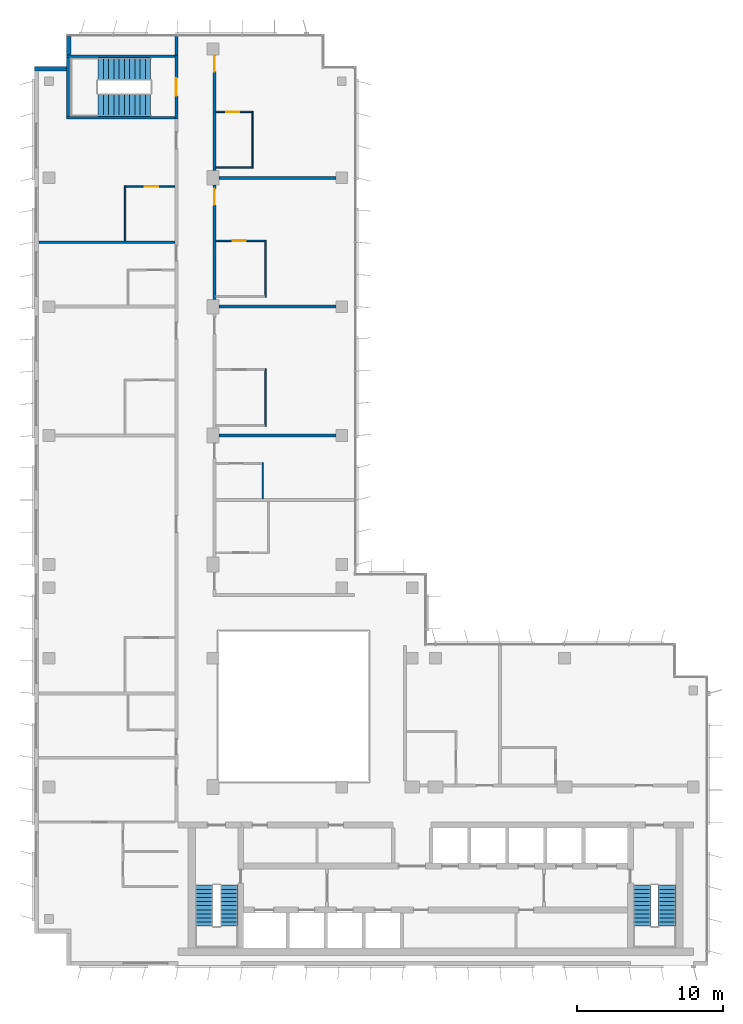
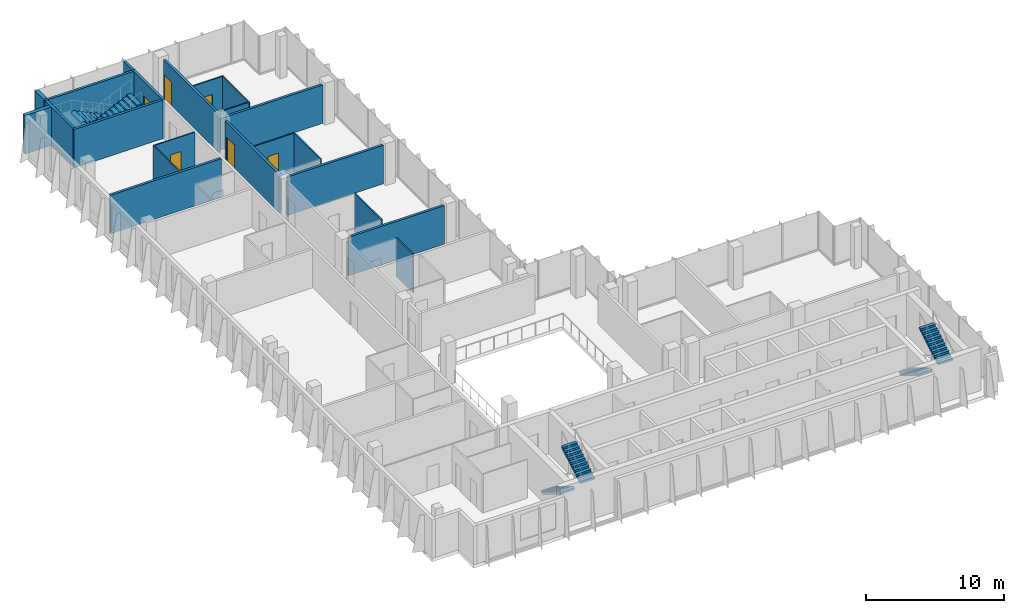
# One storey, part 12 of 15: 22 walls, 6 doors, 6 stair flights, 6 openings, 3 elements without a shape of their own.
"""IFC4 building model written with IfcOpenShell, lengths in metres."""

from ifc_helpers import new_model, si_unit, direction, frame, frame_2d, origin, place, context, subcontext, project, spatial, polyline, rectangle, outline, extrude, material, layer, layer_set, type_object, element, fill, aggregate, save


model = new_model("IFC4")

# Units and contexts
model_context = context("Model", 3, precision=1e-05, world=origin(), true_north=direction((0.0, 1.0)))
body_context = subcontext(model_context, "Body", "Model", "MODEL_VIEW")
ifc_project = project(units=[si_unit("LENGTHUNIT", "METRE"), si_unit("AREAUNIT", "SQUARE_METRE"), si_unit("VOLUMEUNIT", "CUBIC_METRE"), si_unit("PLANEANGLEUNIT", "RADIAN"), si_unit("MASSUNIT", "GRAM", prefix="KILO")], contexts=[model_context])

# Site, building, storey
site_placement = place(None, origin())
site = spatial("IfcSite", under=ifc_project, at=site_placement, CompositionType="ELEMENT")
building_placement = place(site_placement, origin())
building = spatial("IfcBuilding", under=site, at=building_placement, Name="Kemantara Hotel Tower", CompositionType="ELEMENT")
storey_placement = place(building_placement, frame((0.0, 0.0, 233.89990234375)))
storey = spatial("IfcBuildingStorey", under=building, at=storey_placement, Name="L58", CompositionType="ELEMENT", Elevation=233.89990234375)

# Walls
ifc_material_1 = material(Name="Bronze anodised aluminium cladding on insulated steel stud wall", Category="steel")
ifc_layer_1 = layer(ifc_material_1, 0.300048828125)
ifc_layer_set_1 = layer_set([ifc_layer_1], Name="Bronze anodised aluminium cladding on insulated steel stud wall")
wall_type_1 = type_object("IfcWallType", Name="BRONZE METAL-CLAD EXTERNAL WALL 300", PredefinedType="STANDARD", material=ifc_layer_set_1)
wall_1_placement = place(storey_placement, frame((2.35009765625, 63.449951171875, 0.0), z_axis=(0.0, 0.0, 1.0), x_axis=(0.0, -1.0, 0.0)))
element("IfcWall", 1, at=wall_1_placement, inside=storey, type_object=wall_type_1, Name="EXTERNAL WALL L58 T4-R03", PredefinedType="STANDARD", context=body_context, shape_type="SweptSolid", body=[
    extrude(rectangle(XDim=1.25, YDim=0.300048828125, at=frame_2d((0.625, 0.0))), origin(), (0.0, 0.0, 1.0), 3.400146484375),
])
wall_2_placement = place(storey_placement, frame((2.199951171875, 61.25, 0.0), z_axis=(0.0, 0.0, 1.0), x_axis=(-1.0, 0.0, 0.0)))
element("IfcWall", 2, at=wall_2_placement, inside=storey, type_object=wall_type_1, Name="EXTERNAL WALL L58 T4-R04", PredefinedType="STANDARD", context=body_context, shape_type="SweptSolid", body=[
    extrude(rectangle(XDim=2.199951171875, YDim=0.300048828125, at=frame_2d((1.10009765625, 0.0))), origin(), (0.0, 0.0, 1.0), 3.400146484375),
])
ifc_material_2 = material(Name="Gypsum board partition, steel studs and mineral wool, 200 mm", Category="steel")
ifc_layer_2 = layer(ifc_material_2, 0.199951171875)
ifc_layer_set_2 = layer_set([ifc_layer_2], Name="Gypsum board partition, steel studs and mineral wool, 200 mm")
wall_type_2 = type_object("IfcWallType", Name="CORRIDOR WALL 200", PredefinedType="PARTITIONING", material=ifc_layer_set_2)
wall_3_placement = place(storey_placement, frame((9.699951171875, 62.199951171875, 0.0), z_axis=(0.0, 0.0, 1.0), x_axis=(0.0, 1.0, 0.0)))
element("IfcWall", 3, at=wall_3_placement, inside=storey, type_object=wall_type_2, Name="CORRIDOR WALL 200 007", PredefinedType="PARTITIONING", context=body_context, shape_type="SweptSolid", body=[
    extrude(rectangle(XDim=1.280029296875, YDim=0.199951171875, at=frame_2d((0.64013671875, 0.0))), origin(), (0.0, 0.0, 1.0), 3.400146484375),
])

# Wall, opening, door
wall_4_placement = place(storey_placement, frame((12.300048828125, 53.2998046875, 0.0), z_axis=(0.0, 0.0, 1.0), x_axis=(0.0, -1.0, 0.0)))
wall_4 = element("IfcWall", 4, at=wall_4_placement, inside=storey, type_object=wall_type_2, Name="CORRIDOR WALL 200 018", PredefinedType="PARTITIONING", context=body_context, shape_type="SweptSolid", body=[
    extrude(rectangle(XDim=7.7998046875, YDim=0.199951171875, at=frame_2d((3.89990234375, 0.0))), origin(), (0.0, 0.0, 1.0), 3.400146484375),
])
opening_1_placement = place(wall_4_placement, frame((0.25, 0.0, 0.0)))
opening_1 = element("IfcOpeningElement", 5, at=opening_1_placement, cuts=wall_4, Name="Opening F28-025", PredefinedType="OPENING", context=body_context, shape_type="SweptSolid", body=[
    extrude(rectangle(XDim=1.10009765625, YDim=2.10009765625, at=frame_2d((0.550048828125, 1.050048828125))), frame((0.0, 0.10986328125, 0.0), z_axis=(0.0, -1.0, 0.0), x_axis=(1.0, 0.0, 0.0)), (0.0, 0.0, 1.0), 0.219970703125),
])
ifc_material_3 = material(Name="Hardwood veneer door leaf with steel frame", Category="steel")
door_type_1 = type_object("IfcDoorType", Name="SUITE ENTRANCE DOOR 1100 X 2100 FD30S", OperationType="NOTDEFINED", PredefinedType="DOOR", material=ifc_material_3)
door_1_placement = place(opening_1_placement, origin())
door_1 = element("IfcDoor", 6, at=door_1_placement, inside=storey, type_object=door_type_1, Name="SUITE ENTRANCE DOOR F28-025", OperationType="SINGLE_SWING_LEFT", OverallHeight=2.10009765625, OverallWidth=1.10009765625, PredefinedType="DOOR", context=body_context, shape_type="SweptSolid", body=[
    extrude(rectangle(XDim=1.10009765625, YDim=2.10009765625, at=frame_2d((0.550048828125, 1.050048828125))), frame((0.0, 0.02490234375, 0.0), z_axis=(0.0, -1.0, 0.0), x_axis=(1.0, 0.0, 0.0)), (0.0, 0.0, 1.0), 0.050048828125),
])
fill(opening_1, door_1)

wall_5_placement = place(storey_placement, frame((12.300048828125, 62.199951171875, 0.0), z_axis=(0.0, 0.0, 1.0), x_axis=(0.0, -1.0, 0.0)))
wall_5 = element("IfcWall", 7, at=wall_5_placement, inside=storey, type_object=wall_type_2, Name="CORRIDOR WALL 200 019", PredefinedType="PARTITIONING", context=body_context, shape_type="SweptSolid", body=[
    extrude(rectangle(XDim=7.89990234375, YDim=0.199951171875, at=frame_2d((3.949951171875, 0.0))), origin(), (0.0, 0.0, 1.0), 3.400146484375),
])
opening_2_placement = place(wall_5_placement, frame((0.0498046875, 0.0, 0.0)))
opening_2 = element("IfcOpeningElement", 8, at=opening_2_placement, cuts=wall_5, Name="Opening F28-027", PredefinedType="OPENING", context=body_context, shape_type="SweptSolid", body=[
    extrude(rectangle(XDim=1.10009765625, YDim=2.10009765625, at=frame_2d((0.550048828125, 1.050048828125))), frame((0.0, 0.10986328125, 0.0), z_axis=(0.0, -1.0, 0.0), x_axis=(1.0, 0.0, 0.0)), (0.0, 0.0, 1.0), 0.219970703125),
])
door_2_placement = place(opening_2_placement, origin())
door_2 = element("IfcDoor", 9, at=door_2_placement, inside=storey, type_object=door_type_1, Name="SUITE ENTRANCE DOOR F28-027", OperationType="SINGLE_SWING_LEFT", OverallHeight=2.10009765625, OverallWidth=1.10009765625, PredefinedType="DOOR", context=body_context, shape_type="SweptSolid", body=[
    extrude(rectangle(XDim=1.10009765625, YDim=2.10009765625, at=frame_2d((0.550048828125, 1.050048828125))), frame((0.0, 0.02490234375, 0.0), z_axis=(0.0, -1.0, 0.0), x_axis=(1.0, 0.0, 0.0)), (0.0, 0.0, 1.0), 0.050048828125),
])
fill(opening_2, door_2)

ifc_material_4 = material(Name="Concrete fc 40 MPa", Category="concrete")
ifc_layer_3 = layer(ifc_material_4, 0.199951171875)
ifc_layer_set_3 = layer_set([ifc_layer_3], Name="Concrete fc 40 MPa")
wall_type_3 = type_object("IfcWallType", Name="Concrete stair wall 200 mm", PredefinedType="SHEAR", material=ifc_layer_set_3)
wall_6_placement = place(storey_placement, frame((9.699951171875, 57.800048828125, 0.0), z_axis=(0.0, 0.0, 1.0), x_axis=(0.0, 1.0, 0.0)))
wall_6 = element("IfcWall", 10, at=wall_6_placement, inside=storey, type_object=wall_type_3, Name="Stair ST4 enclosure wall with door", PredefinedType="SHEAR", context=body_context, shape_type="SweptSolid", body=[
    extrude(rectangle(XDim=4.39990234375, YDim=0.199951171875, at=frame_2d((2.199951171875, 0.0))), origin(), (0.0, 0.0, 1.0), 3.400146484375),
])
opening_3_placement = place(wall_6_placement, frame((1.60009765625, 0.0, 0.0)))
opening_3 = element("IfcOpeningElement", 11, at=opening_3_placement, cuts=wall_6, Name="Opening ST4-C", PredefinedType="OPENING", context=body_context, shape_type="SweptSolid", body=[
    extrude(rectangle(XDim=1.199951171875, YDim=2.10009765625, at=frame_2d((0.60009765625, 1.050048828125))), frame((0.0, 0.10986328125, 0.0), z_axis=(0.0, -1.0, 0.0), x_axis=(1.0, 0.0, 0.0)), (0.0, 0.0, 1.0), 0.219970703125),
])
ifc_material_5 = material(Name="Steel fire door", Category="steel")
door_type_2 = type_object("IfcDoorType", Name="Fire door FD90 1200 x 2100", OperationType="NOTDEFINED", PredefinedType="DOOR", material=ifc_material_5)
door_3_placement = place(opening_3_placement, origin())
door_3 = element("IfcDoor", 12, at=door_3_placement, inside=storey, type_object=door_type_2, Name="Stair ST4 door", OperationType="SINGLE_SWING_RIGHT", OverallHeight=2.10009765625, OverallWidth=1.199951171875, PredefinedType="DOOR", context=body_context, shape_type="SweptSolid", body=[
    extrude(rectangle(XDim=1.199951171875, YDim=2.10009765625, at=frame_2d((0.60009765625, 1.050048828125))), frame((0.0, 0.02490234375, 0.0), z_axis=(0.0, -1.0, 0.0), x_axis=(1.0, 0.0, 0.0)), (0.0, 0.0, 1.0), 0.050048828125),
])
fill(opening_3, door_3)

# Walls
for number, where, z_axis, x_axis, name in (
    (13, (2.199951171875, 62.10009765625, 0.0), (0.0, 0.0, 1.0), (1.0, 0.0, 0.0), "Stair ST4 enclosure wall N"),
    (14, (2.199951171875, 57.89990234375, 0.0), (0.0, 0.0, 1.0), (1.0, 0.0, 0.0), "Stair ST4 enclosure wall S"),
):
    element("IfcWall", number, at=place(storey_placement, frame(where, z_axis=z_axis, x_axis=x_axis)), inside=storey, type_object=wall_type_3, Name=name, PredefinedType="SHEAR", context=body_context, shape_type="SweptSolid", body=[
        extrude(rectangle(XDim=7.400146484375, YDim=0.199951171875, at=frame_2d((3.7001953125, 0.0))), origin(), (0.0, 0.0, 1.0), 3.400146484375),
    ])
wall_7_placement = place(storey_placement, frame((2.300048828125, 58.0, 0.0), z_axis=(0.0, 0.0, 1.0), x_axis=(0.0, 1.0, 0.0)))
element("IfcWall", 15, at=wall_7_placement, inside=storey, type_object=wall_type_3, Name="Stair ST4 enclosure wall W", PredefinedType="SHEAR", context=body_context, shape_type="SweptSolid", body=[
    extrude(rectangle(XDim=4.0, YDim=0.199951171875, at=frame_2d((2.0, 0.0))), origin(), (0.0, 0.0, 1.0), 3.400146484375),
])
ifc_layer_4 = layer(ifc_material_2, 0.199951171875)
ifc_layer_set_4 = layer_set([ifc_layer_4], Name="Gypsum board partition, steel studs and mineral wool, 200 mm")
wall_type_4 = type_object("IfcWallType", Name="GUEST ROOM PARTY WALL 200", PredefinedType="PARTITIONING", material=ifc_layer_set_4)
for number, where, z_axis, x_axis, name in (
    (16, (12.60009765625, 36.199951171875, 0.0), (0.0, 0.0, 1.0), (1.0, 0.0, 0.0), "GUEST ROOM PARTY WALL 200 011"),
    (17, (12.60009765625, 45.0, 0.0), (0.0, 0.0, 1.0), (1.0, 0.0, 0.0), "GUEST ROOM PARTY WALL 200 013"),
):
    element("IfcWall", number, at=place(storey_placement, frame(where, z_axis=z_axis, x_axis=x_axis)), inside=storey, type_object=wall_type_4, Name=name, PredefinedType="PARTITIONING", context=body_context, shape_type="SweptSolid", body=[
        extrude(rectangle(XDim=7.999755859375, YDim=0.199951171875, at=frame_2d((4.0, 0.0))), origin(), (0.0, 0.0, 1.0), 3.400146484375),
    ])
wall_8_placement = place(storey_placement, frame((0.31005859375, 49.39990234375, 0.0), z_axis=(0.0, 0.0, 1.0), x_axis=(1.0, 0.0, 0.0)))
element("IfcWall", 18, at=wall_8_placement, inside=storey, type_object=wall_type_4, Name="GUEST ROOM PARTY WALL 200 014", PredefinedType="PARTITIONING", context=body_context, shape_type="SweptSolid", body=[
    extrude(rectangle(XDim=9.2900390625, YDim=0.199951171875, at=frame_2d((4.64501953125, 0.0))), origin(), (0.0, 0.0, 1.0), 3.400146484375),
])
wall_9_placement = place(storey_placement, frame((12.60009765625, 53.800048828125, 0.0), z_axis=(0.0, 0.0, 1.0), x_axis=(1.0, 0.0, 0.0)))
element("IfcWall", 19, at=wall_9_placement, inside=storey, type_object=wall_type_4, Name="GUEST ROOM PARTY WALL 200 022", PredefinedType="PARTITIONING", context=body_context, shape_type="SweptSolid", body=[
    extrude(rectangle(XDim=7.999755859375, YDim=0.199951171875, at=frame_2d((4.0, 0.0))), origin(), (0.0, 0.0, 1.0), 3.400146484375),
])
ifc_material_6 = material(Name="Gypsum board partition on steel studs, 100 mm", Category="steel")
ifc_layer_5 = layer(ifc_material_6, 0.10009765625)
ifc_layer_set_5 = layer_set([ifc_layer_5], Name="Gypsum board partition on steel studs, 100 mm")
wall_type_5 = type_object("IfcWallType", Name="ROOM PARTITION 100", PredefinedType="PARTITIONING", material=ifc_layer_set_5)
wall_10_placement = place(storey_placement, frame((6.199951171875, 49.5, 0.0), z_axis=(0.0, 0.0, 1.0), x_axis=(0.0, 1.0, 0.0)))
element("IfcWall", 20, at=wall_10_placement, inside=storey, type_object=wall_type_5, Name="ROOM PARTITION 100 036", PredefinedType="PARTITIONING", context=body_context, shape_type="SweptSolid", body=[
    extrude(rectangle(XDim=3.75, YDim=0.10009765625, at=frame_2d((1.875, 0.0))), origin(), (0.0, 0.0, 1.0), 3.400146484375),
])

# Wall, opening, door
wall_11_placement = place(storey_placement, frame((9.60009765625, 53.199951171875, 0.0), z_axis=(0.0, 0.0, 1.0), x_axis=(-1.0, 0.0, 0.0)))
wall_11 = element("IfcWall", 21, at=wall_11_placement, inside=storey, type_object=wall_type_5, Name="ROOM PARTITION 100 040", PredefinedType="PARTITIONING", context=body_context, shape_type="SweptSolid", body=[
    extrude(rectangle(XDim=3.35009765625, YDim=0.10009765625, at=frame_2d((1.675048828125, 0.0))), origin(), (0.0, 0.0, 1.0), 3.400146484375),
])
opening_4_placement = place(wall_11_placement, frame((1.14990234375, 0.0, 0.0)))
opening_4 = element("IfcOpeningElement", 22, at=opening_4_placement, cuts=wall_11, Name="Opening F28-018", PredefinedType="OPENING", context=body_context, shape_type="SweptSolid", body=[
    extrude(rectangle(XDim=0.89990234375, YDim=2.10009765625, at=frame_2d((0.449951171875, 1.050048828125))), frame((0.0, 0.06005859375, 0.0), z_axis=(0.0, -1.0, 0.0), x_axis=(1.0, 0.0, 0.0)), (0.0, 0.0, 1.0), 0.1201171875),
])
door_type_3 = type_object("IfcDoorType", Name="BATHROOM DOOR 900 X 2100", OperationType="NOTDEFINED", PredefinedType="DOOR", material=ifc_material_3)
door_4_placement = place(opening_4_placement, origin())
door_4 = element("IfcDoor", 23, at=door_4_placement, inside=storey, type_object=door_type_3, Name="BATHROOM DOOR F28-018", OperationType="SINGLE_SWING_LEFT", OverallHeight=2.10009765625, OverallWidth=0.89990234375, PredefinedType="DOOR", context=body_context, shape_type="SweptSolid", body=[
    extrude(rectangle(XDim=0.89990234375, YDim=2.10009765625, at=frame_2d((0.449951171875, 1.050048828125))), frame((0.0, 0.02490234375, 0.0), z_axis=(0.0, -1.0, 0.0), x_axis=(1.0, 0.0, 0.0)), (0.0, 0.0, 1.0), 0.050048828125),
])
fill(opening_4, door_4)

# Walls
wall_12_placement = place(storey_placement, frame((15.60009765625, 31.89990234375, 0.0), z_axis=(0.0, 0.0, 1.0), x_axis=(0.0, 1.0, 0.0)))
element("IfcWall", 24, at=wall_12_placement, inside=storey, type_object=wall_type_5, Name="ROOM PARTITION 100 043", PredefinedType="PARTITIONING", context=body_context, shape_type="SweptSolid", body=[
    extrude(rectangle(XDim=2.4501953125, YDim=0.10009765625, at=frame_2d((1.22509765625, 0.0))), origin(), (0.0, 0.0, 1.0), 3.400146484375),
])
wall_13_placement = place(storey_placement, frame((15.800048828125, 36.85009765625, 0.0), z_axis=(0.0, 0.0, 1.0), x_axis=(0.0, 1.0, 0.0)))
element("IfcWall", 25, at=wall_13_placement, inside=storey, type_object=wall_type_5, Name="ROOM PARTITION 100 045", PredefinedType="PARTITIONING", context=body_context, shape_type="SweptSolid", body=[
    extrude(rectangle(XDim=3.89990234375, YDim=0.10009765625, at=frame_2d((1.949951171875, 0.0))), origin(), (0.0, 0.0, 1.0), 3.400146484375),
])
wall_14_placement = place(storey_placement, frame((15.800048828125, 45.64990234375, 0.0), z_axis=(0.0, 0.0, 1.0), x_axis=(0.0, 1.0, 0.0)))
element("IfcWall", 26, at=wall_14_placement, inside=storey, type_object=wall_type_5, Name="ROOM PARTITION 100 046", PredefinedType="PARTITIONING", context=body_context, shape_type="SweptSolid", body=[
    extrude(rectangle(XDim=3.900146484375, YDim=0.10009765625, at=frame_2d((1.9501953125, 0.0))), origin(), (0.0, 0.0, 1.0), 3.400146484375),
])

# Wall, opening, door
wall_15_placement = place(storey_placement, frame((15.75, 49.5, 0.0), z_axis=(0.0, 0.0, 1.0), x_axis=(-1.0, 0.0, 0.0)))
wall_15 = element("IfcWall", 27, at=wall_15_placement, inside=storey, type_object=wall_type_5, Name="ROOM PARTITION 100 050", PredefinedType="PARTITIONING", context=body_context, shape_type="SweptSolid", body=[
    extrude(rectangle(XDim=3.35009765625, YDim=0.10009765625, at=frame_2d((1.675048828125, 0.0))), origin(), (0.0, 0.0, 1.0), 3.400146484375),
])
opening_5_placement = place(wall_15_placement, frame((1.300048828125, 0.0, 0.0)))
opening_5 = element("IfcOpeningElement", 28, at=opening_5_placement, cuts=wall_15, Name="Opening F28-026", PredefinedType="OPENING", context=body_context, shape_type="SweptSolid", body=[
    extrude(rectangle(XDim=0.89990234375, YDim=2.10009765625, at=frame_2d((0.449951171875, 1.050048828125))), frame((0.0, 0.06005859375, 0.0), z_axis=(0.0, -1.0, 0.0), x_axis=(1.0, 0.0, 0.0)), (0.0, 0.0, 1.0), 0.1201171875),
])
door_5_placement = place(opening_5_placement, origin())
door_5 = element("IfcDoor", 29, at=door_5_placement, inside=storey, type_object=door_type_3, Name="BATHROOM DOOR F28-026", OperationType="SINGLE_SWING_RIGHT", OverallHeight=2.10009765625, OverallWidth=0.89990234375, PredefinedType="DOOR", context=body_context, shape_type="SweptSolid", body=[
    extrude(rectangle(XDim=0.89990234375, YDim=2.10009765625, at=frame_2d((0.449951171875, 1.050048828125))), frame((0.0, 0.02490234375, 0.0), z_axis=(0.0, -1.0, 0.0), x_axis=(1.0, 0.0, 0.0)), (0.0, 0.0, 1.0), 0.050048828125),
])
fill(opening_5, door_5)

# Walls
wall_16_placement = place(storey_placement, frame((14.89990234375, 54.449951171875, 0.0), z_axis=(0.0, 0.0, 1.0), x_axis=(0.0, 1.0, 0.0)))
element("IfcWall", 30, at=wall_16_placement, inside=storey, type_object=wall_type_5, Name="ROOM PARTITION 100 051", PredefinedType="PARTITIONING", context=body_context, shape_type="SweptSolid", body=[
    extrude(rectangle(XDim=3.900146484375, YDim=0.10009765625, at=frame_2d((1.9501953125, 0.0))), origin(), (0.0, 0.0, 1.0), 3.400146484375),
])
wall_17_placement = place(storey_placement, frame((12.39990234375, 54.5, 0.0), z_axis=(0.0, 0.0, 1.0), x_axis=(1.0, 0.0, 0.0)))
element("IfcWall", 31, at=wall_17_placement, inside=storey, type_object=wall_type_5, Name="ROOM PARTITION 100 052", PredefinedType="PARTITIONING", context=body_context, shape_type="SweptSolid", body=[
    extrude(rectangle(XDim=2.4501953125, YDim=0.10009765625, at=frame_2d((1.22509765625, 0.0))), origin(), (0.0, 0.0, 1.0), 3.400146484375),
])

# Wall, opening, door
wall_18_placement = place(storey_placement, frame((14.85009765625, 58.300048828125, 0.0), z_axis=(0.0, 0.0, 1.0), x_axis=(-1.0, 0.0, 0.0)))
wall_18 = element("IfcWall", 32, at=wall_18_placement, inside=storey, type_object=wall_type_5, Name="ROOM PARTITION 100 053", PredefinedType="PARTITIONING", context=body_context, shape_type="SweptSolid", body=[
    extrude(rectangle(XDim=2.4501953125, YDim=0.10009765625, at=frame_2d((1.22509765625, 0.0))), origin(), (0.0, 0.0, 1.0), 3.400146484375),
])
opening_6_placement = place(wall_18_placement, frame((0.85009765625, 0.0, 0.0)))
opening_6 = element("IfcOpeningElement", 33, at=opening_6_placement, cuts=wall_18, Name="Opening F28-028", PredefinedType="OPENING", context=body_context, shape_type="SweptSolid", body=[
    extrude(rectangle(XDim=0.89990234375, YDim=2.10009765625, at=frame_2d((0.449951171875, 1.050048828125))), frame((0.0, 0.06005859375, 0.0), z_axis=(0.0, -1.0, 0.0), x_axis=(1.0, 0.0, 0.0)), (0.0, 0.0, 1.0), 0.1201171875),
])
door_6_placement = place(opening_6_placement, origin())
door_6 = element("IfcDoor", 34, at=door_6_placement, inside=storey, type_object=door_type_3, Name="BATHROOM DOOR F28-028", OperationType="SINGLE_SWING_RIGHT", OverallHeight=2.10009765625, OverallWidth=0.89990234375, PredefinedType="DOOR", context=body_context, shape_type="SweptSolid", body=[
    extrude(rectangle(XDim=0.89990234375, YDim=2.10009765625, at=frame_2d((0.449951171875, 1.050048828125))), frame((0.0, 0.02490234375, 0.0), z_axis=(0.0, -1.0, 0.0), x_axis=(1.0, 0.0, 0.0)), (0.0, 0.0, 1.0), 0.050048828125),
])
fill(opening_6, door_6)

# Stair, stair flights
stair_type_1 = type_object("IfcStairType", Name="Stair 1200 wide 22 risers of 168 x 280 mm", PredefinedType="HALF_TURN_STAIR", material=ifc_material_4)
stair_1_placement = place(storey_placement, origin())
stair_1 = element("IfcStair", 35, at=stair_1_placement, inside=storey, type_object=stair_type_1, Name="L58 Exit stair ST1", PredefinedType="HALF_TURN_STAIR")
stair_flight_type_1 = type_object("IfcStairFlightType", Name="Stair flight 1200 wide 168 x 280 mm", PredefinedType="STRAIGHT", material=ifc_material_4)
stair_flight_1_placement = place(storey_placement, frame((11.60009765625, 5.5, 0.0), z_axis=(0.0, 0.0, 1.0), x_axis=(0.0, -1.0, 0.0)))
stair_flight_1 = element("IfcStairFlight", 36, at=stair_flight_1_placement, type_object=stair_flight_type_1, Name="ST1 flight 1", NumberOfRisers=11, NumberOfTreads=10, PredefinedType="STRAIGHT", RiserHeight=0.168181818, TreadLength=0.28, context=body_context, shape_type="SweptSolid", body=[
    extrude(outline(polyline([(0.0, 0.0), (0.0, 0.168212890625), (0.280029296875, 0.168212890625), (0.280029296875, 0.33642578125), (0.56005859375, 0.33642578125), (0.56005859375, 0.504638671875), (0.840087890625, 0.504638671875), (0.840087890625, 0.672607421875), (1.1201171875, 0.672607421875), (1.1201171875, 0.8408203125), (1.39990234375, 0.8408203125), (1.39990234375, 1.009033203125), (1.679931640625, 1.009033203125), (1.679931640625, 1.17724609375), (1.9599609375, 1.17724609375), (1.9599609375, 1.345458984375), (2.239990234375, 1.345458984375), (2.239990234375, 1.513671875), (2.52001953125, 1.513671875), (2.52001953125, 1.681884765625), (2.800048828125, 1.681884765625), (2.800048828125, 1.85009765625), (2.800048828125, 1.5068359375), (0.291015625, 0.0), (0.0, 0.0)])), frame((0.0, 0.60009765625, 0.0), z_axis=(0.0, -1.0, 0.0), x_axis=(1.0, 0.0, 0.0)), (0.0, 0.0, 1.0), 1.199951171875),
])
stair_flight_2_placement = place(storey_placement, frame((13.300048828125, 2.699951171875, 1.85009765625), z_axis=(0.0, 0.0, 1.0), x_axis=(0.0, 1.0, 0.0)))
stair_flight_2 = element("IfcStairFlight", 37, at=stair_flight_2_placement, type_object=stair_flight_type_1, Name="ST1 flight 2", NumberOfRisers=11, NumberOfTreads=10, PredefinedType="STRAIGHT", RiserHeight=0.168181818, TreadLength=0.28, context=body_context, shape_type="SweptSolid", body=[
    extrude(outline(polyline([(0.0, 0.0), (0.0, 0.168212890625), (0.280029296875, 0.168212890625), (0.280029296875, 0.33642578125), (0.56005859375, 0.33642578125), (0.56005859375, 0.504638671875), (0.840087890625, 0.504638671875), (0.840087890625, 0.672607421875), (1.1201171875, 0.672607421875), (1.1201171875, 0.8408203125), (1.39990234375, 0.8408203125), (1.39990234375, 1.009033203125), (1.679931640625, 1.009033203125), (1.679931640625, 1.17724609375), (1.9599609375, 1.17724609375), (1.9599609375, 1.345458984375), (2.239990234375, 1.345458984375), (2.239990234375, 1.513671875), (2.52001953125, 1.513671875), (2.52001953125, 1.681884765625), (2.800048828125, 1.681884765625), (2.800048828125, 1.85009765625), (2.800048828125, 1.5068359375), (0.291015625, 0.0), (0.0, 0.0)])), frame((0.0, 0.60009765625, 0.0), z_axis=(0.0, -1.0, 0.0), x_axis=(1.0, 0.0, 0.0)), (0.0, 0.0, 1.0), 1.199951171875),
])
aggregate(stair_1, [stair_flight_1, stair_flight_2])

stair_2_placement = place(storey_placement, origin())
stair_2 = element("IfcStair", 38, at=stair_2_placement, inside=storey, type_object=stair_type_1, Name="L58 Exit stair ST2", PredefinedType="HALF_TURN_STAIR")
stair_flight_3_placement = place(storey_placement, frame((41.5, 5.5, 0.0), z_axis=(0.0, 0.0, 1.0), x_axis=(0.0, -1.0, 0.0)))
stair_flight_3 = element("IfcStairFlight", 39, at=stair_flight_3_placement, type_object=stair_flight_type_1, Name="ST2 flight 1", NumberOfRisers=11, NumberOfTreads=10, PredefinedType="STRAIGHT", RiserHeight=0.168181818, TreadLength=0.28, context=body_context, shape_type="SweptSolid", body=[
    extrude(outline(polyline([(0.0, 0.0), (0.0, 0.168212890625), (0.280029296875, 0.168212890625), (0.280029296875, 0.33642578125), (0.56005859375, 0.33642578125), (0.56005859375, 0.504638671875), (0.840087890625, 0.504638671875), (0.840087890625, 0.672607421875), (1.1201171875, 0.672607421875), (1.1201171875, 0.8408203125), (1.39990234375, 0.8408203125), (1.39990234375, 1.009033203125), (1.679931640625, 1.009033203125), (1.679931640625, 1.17724609375), (1.9599609375, 1.17724609375), (1.9599609375, 1.345458984375), (2.239990234375, 1.345458984375), (2.239990234375, 1.513671875), (2.52001953125, 1.513671875), (2.52001953125, 1.681884765625), (2.800048828125, 1.681884765625), (2.800048828125, 1.85009765625), (2.800048828125, 1.5068359375), (0.291015625, 0.0), (0.0, 0.0)])), frame((0.0, 0.60009765625, 0.0), z_axis=(0.0, -1.0, 0.0), x_axis=(1.0, 0.0, 0.0)), (0.0, 0.0, 1.0), 1.199951171875),
])
stair_flight_4_placement = place(storey_placement, frame((43.199951171875, 2.699951171875, 1.85009765625), z_axis=(0.0, 0.0, 1.0), x_axis=(0.0, 1.0, 0.0)))
stair_flight_4 = element("IfcStairFlight", 40, at=stair_flight_4_placement, type_object=stair_flight_type_1, Name="ST2 flight 2", NumberOfRisers=11, NumberOfTreads=10, PredefinedType="STRAIGHT", RiserHeight=0.168181818, TreadLength=0.28, context=body_context, shape_type="SweptSolid", body=[
    extrude(outline(polyline([(0.0, 0.0), (0.0, 0.168212890625), (0.280029296875, 0.168212890625), (0.280029296875, 0.33642578125), (0.56005859375, 0.33642578125), (0.56005859375, 0.504638671875), (0.840087890625, 0.504638671875), (0.840087890625, 0.672607421875), (1.1201171875, 0.672607421875), (1.1201171875, 0.8408203125), (1.39990234375, 0.8408203125), (1.39990234375, 1.009033203125), (1.679931640625, 1.009033203125), (1.679931640625, 1.17724609375), (1.9599609375, 1.17724609375), (1.9599609375, 1.345458984375), (2.239990234375, 1.345458984375), (2.239990234375, 1.513671875), (2.52001953125, 1.513671875), (2.52001953125, 1.681884765625), (2.800048828125, 1.681884765625), (2.800048828125, 1.85009765625), (2.800048828125, 1.5068359375), (0.291015625, 0.0), (0.0, 0.0)])), frame((0.0, 0.60009765625, 0.0), z_axis=(0.0, -1.0, 0.0), x_axis=(1.0, 0.0, 0.0)), (0.0, 0.0, 1.0), 1.199951171875),
])
aggregate(stair_2, [stair_flight_3, stair_flight_4])

stair_type_2 = type_object("IfcStairType", Name="Stair 1550 wide 22 risers of 168 x 360 mm", PredefinedType="HALF_TURN_STAIR", material=ifc_material_4)
stair_3_placement = place(storey_placement, origin())
stair_3 = element("IfcStair", 41, at=stair_3_placement, inside=storey, type_object=stair_type_2, Name="L58 Exit stair ST4", PredefinedType="HALF_TURN_STAIR")
stair_flight_type_2 = type_object("IfcStairFlightType", Name="Stair flight 1550 wide 168 x 360 mm", PredefinedType="STRAIGHT", material=ifc_material_4)
stair_flight_5_placement = place(storey_placement, frame((7.949951171875, 61.22509765625, 0.0), z_axis=(0.0, 0.0, 1.0), x_axis=(-1.0, 0.0, 0.0)))
stair_flight_5 = element("IfcStairFlight", 42, at=stair_flight_5_placement, type_object=stair_flight_type_2, Name="ST4 flight 1", NumberOfRisers=11, NumberOfTreads=10, PredefinedType="STRAIGHT", RiserHeight=0.168181818, TreadLength=0.36, context=body_context, shape_type="SweptSolid", body=[
    extrude(outline(polyline([(0.0, 0.0), (0.0, 0.168212890625), (0.360107421875, 0.168212890625), (0.360107421875, 0.33642578125), (0.719970703125, 0.33642578125), (0.719970703125, 0.504638671875), (1.080078125, 0.504638671875), (1.080078125, 0.672607421875), (1.43994140625, 0.672607421875), (1.43994140625, 0.8408203125), (1.800048828125, 0.8408203125), (1.800048828125, 1.009033203125), (2.159912109375, 1.009033203125), (2.159912109375, 1.17724609375), (2.52001953125, 1.17724609375), (2.52001953125, 1.345458984375), (2.8798828125, 1.345458984375), (2.8798828125, 1.513671875), (3.239990234375, 1.513671875), (3.239990234375, 1.681884765625), (3.60009765625, 1.681884765625), (3.60009765625, 1.85009765625), (3.60009765625, 1.516357421875), (0.354248046875, 0.0), (0.0, 0.0)])), frame((0.0, 0.77490234375, 0.0), z_axis=(0.0, -1.0, 0.0), x_axis=(1.0, 0.0, 0.0)), (0.0, 0.0, 1.0), 1.550048828125),
])
stair_flight_6_placement = place(storey_placement, frame((4.35009765625, 58.77490234375, 1.85009765625), z_axis=(0.0, 0.0, 1.0), x_axis=(1.0, 0.0, 0.0)))
stair_flight_6 = element("IfcStairFlight", 43, at=stair_flight_6_placement, type_object=stair_flight_type_2, Name="ST4 flight 2", NumberOfRisers=11, NumberOfTreads=10, PredefinedType="STRAIGHT", RiserHeight=0.168181818, TreadLength=0.36, context=body_context, shape_type="SweptSolid", body=[
    extrude(outline(polyline([(0.0, 0.0), (0.0, 0.168212890625), (0.360107421875, 0.168212890625), (0.360107421875, 0.33642578125), (0.719970703125, 0.33642578125), (0.719970703125, 0.504638671875), (1.080078125, 0.504638671875), (1.080078125, 0.672607421875), (1.43994140625, 0.672607421875), (1.43994140625, 0.8408203125), (1.800048828125, 0.8408203125), (1.800048828125, 1.009033203125), (2.159912109375, 1.009033203125), (2.159912109375, 1.17724609375), (2.52001953125, 1.17724609375), (2.52001953125, 1.345458984375), (2.8798828125, 1.345458984375), (2.8798828125, 1.513671875), (3.239990234375, 1.513671875), (3.239990234375, 1.681884765625), (3.60009765625, 1.681884765625), (3.60009765625, 1.85009765625), (3.60009765625, 1.516357421875), (0.354248046875, 0.0), (0.0, 0.0)])), frame((0.0, 0.77490234375, 0.0), z_axis=(0.0, -1.0, 0.0), x_axis=(1.0, 0.0, 0.0)), (0.0, 0.0, 1.0), 1.550048828125),
])
aggregate(stair_3, [stair_flight_5, stair_flight_6])

save(model, "model.ifc")
